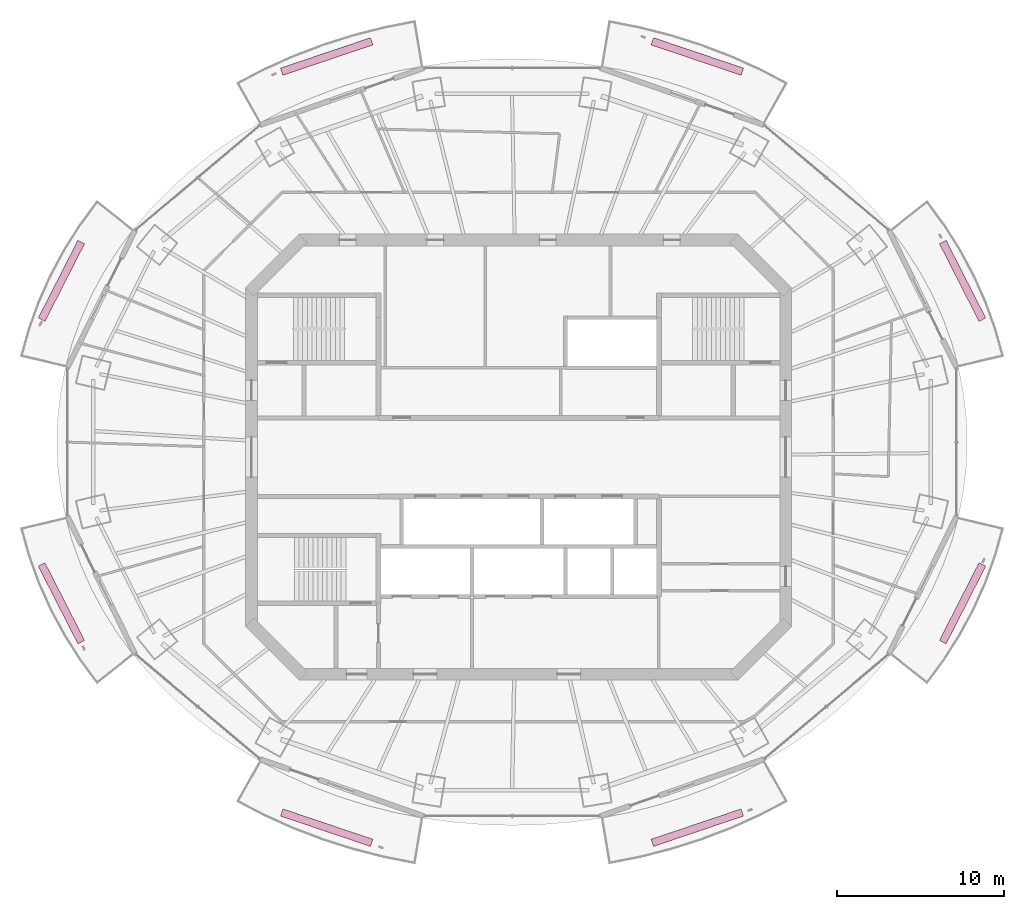
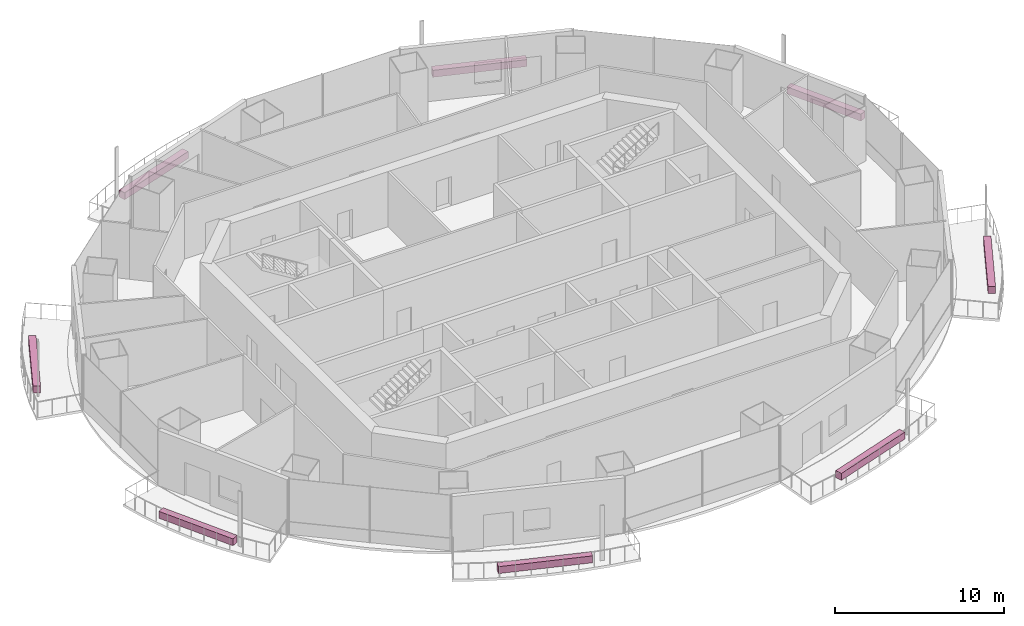
# One storey, part 16 of 16: 8 furnishings.
"""IFC4 building model written with IfcOpenShell, lengths in metres."""

from ifc_helpers import new_model, si_unit, direction, frame, origin, origin_2d, place, context, subcontext, project, spatial, rectangle, extrude, material, type_object, element, save


model = new_model("IFC4")

# Units and contexts
model_context = context("Model", 3, precision=1e-05, world=origin(), true_north=direction((0.0, 1.0)))
body_context = subcontext(model_context, "Body", "Model", "MODEL_VIEW")
ifc_project = project(units=[si_unit("LENGTHUNIT", "METRE"), si_unit("AREAUNIT", "SQUARE_METRE"), si_unit("VOLUMEUNIT", "CUBIC_METRE"), si_unit("PLANEANGLEUNIT", "RADIAN"), si_unit("MASSUNIT", "GRAM", prefix="KILO")], contexts=[model_context])

# Site, building, storey
site_placement = place(None, origin())
site = spatial("IfcSite", under=ifc_project, at=site_placement, CompositionType="ELEMENT")
building_placement = place(site_placement, origin())
building = spatial("IfcBuilding", under=site, at=building_placement, Name="Marenthal Gate Tower", CompositionType="ELEMENT")
storey_placement = place(building_placement, frame((0.0, 0.0, 334.300048828125)))
storey = spatial("IfcBuildingStorey", under=building, at=storey_placement, Name="L75", CompositionType="ELEMENT", Elevation=334.300048828125)

# Furnishings
ifc_material = material(Name="Planting soil and foliage", Category="planting")
furnishing_element_type = type_object("IfcFurnishingElementType", Name="Balcony PLANTER trough", material=ifc_material)
furnishing_1_placement = place(storey_placement, frame((26.588623046875, 10.557373046875, -0.0400390625), z_axis=(0.0, 0.0, 1.0), x_axis=(-0.454476307022, 0.890758826145, 0.0)))
element("IfcFurnishingElement", 1, at=furnishing_1_placement, inside=storey, type_object=furnishing_element_type, Name="Balcony PLANTER L75 bay 1", ObjectType="PLANTER", context=body_context, shape_type="SweptSolid", body=[
    extrude(rectangle(XDim=5.2216796875, YDim=0.449951171875, at=origin_2d()), origin(), (0.0, 0.0, 1.0), 0.5),
])
for number, where, z_axis, x_axis, name in (
    (2, (10.7001953125, 23.9951171875, -0.0400390625), (0.0, 0.0, 1.0), (-0.947479099631, 0.319817691447, 0.0), "Balcony PLANTER L75 bay 3"),
    (3, (-11.5, 23.9951171875, -0.0400390625), (0.0, 0.0, 1.0), (-0.947479099631, -0.319817691447, 0.0), "Balcony PLANTER L75 bay 5"),
):
    element("IfcFurnishingElement", number, at=place(storey_placement, frame(where, z_axis=z_axis, x_axis=x_axis)), inside=storey, type_object=furnishing_element_type, Name=name, ObjectType="PLANTER", context=body_context, shape_type="SweptSolid", body=[
        extrude(rectangle(XDim=5.68798828125, YDim=0.449951171875, at=origin_2d()), origin(), (0.0, 0.0, 1.0), 0.5),
    ])
for number, where, z_axis, x_axis, name in (
    (4, (-27.388671875, 10.557373046875, -0.0400390625), (0.0, 0.0, 1.0), (-0.454476307022, -0.890758826145, 0.0), "Balcony PLANTER L75 bay 7"),
    (5, (-27.388671875, -8.75732421875, -0.0400390625), (0.0, 0.0, 1.0), (0.454476307022, -0.890758826145, 0.0), "Balcony PLANTER L75 bay 9"),
):
    element("IfcFurnishingElement", number, at=place(storey_placement, frame(where, z_axis=z_axis, x_axis=x_axis)), inside=storey, type_object=furnishing_element_type, Name=name, ObjectType="PLANTER", context=body_context, shape_type="SweptSolid", body=[
        extrude(rectangle(XDim=5.2216796875, YDim=0.449951171875, at=origin_2d()), origin(), (0.0, 0.0, 1.0), 0.5),
    ])
for number, where, z_axis, x_axis, name in (
    (6, (-11.5, -22.195068359375, -0.0400390625), (0.0, 0.0, 1.0), (0.947479099631, -0.319817691447, 0.0), "Balcony PLANTER L75 bay 11"),
    (7, (10.7001953125, -22.195068359375, -0.0400390625), (0.0, 0.0, 1.0), (0.947479099631, 0.319817691447, 0.0), "Balcony PLANTER L75 bay 13"),
):
    element("IfcFurnishingElement", number, at=place(storey_placement, frame(where, z_axis=z_axis, x_axis=x_axis)), inside=storey, type_object=furnishing_element_type, Name=name, ObjectType="PLANTER", context=body_context, shape_type="SweptSolid", body=[
        extrude(rectangle(XDim=5.68798828125, YDim=0.449951171875, at=origin_2d()), origin(), (0.0, 0.0, 1.0), 0.5),
    ])
furnishing_2_placement = place(storey_placement, frame((26.588623046875, -8.75732421875, -0.0400390625), z_axis=(0.0, 0.0, 1.0), x_axis=(0.454476307022, 0.890758826145, 0.0)))
element("IfcFurnishingElement", 8, at=furnishing_2_placement, inside=storey, type_object=furnishing_element_type, Name="Balcony PLANTER L75 bay 15", ObjectType="PLANTER", context=body_context, shape_type="SweptSolid", body=[
    extrude(rectangle(XDim=5.2216796875, YDim=0.449951171875, at=origin_2d()), origin(), (0.0, 0.0, 1.0), 0.5),
])

save(model, "model.ifc")
